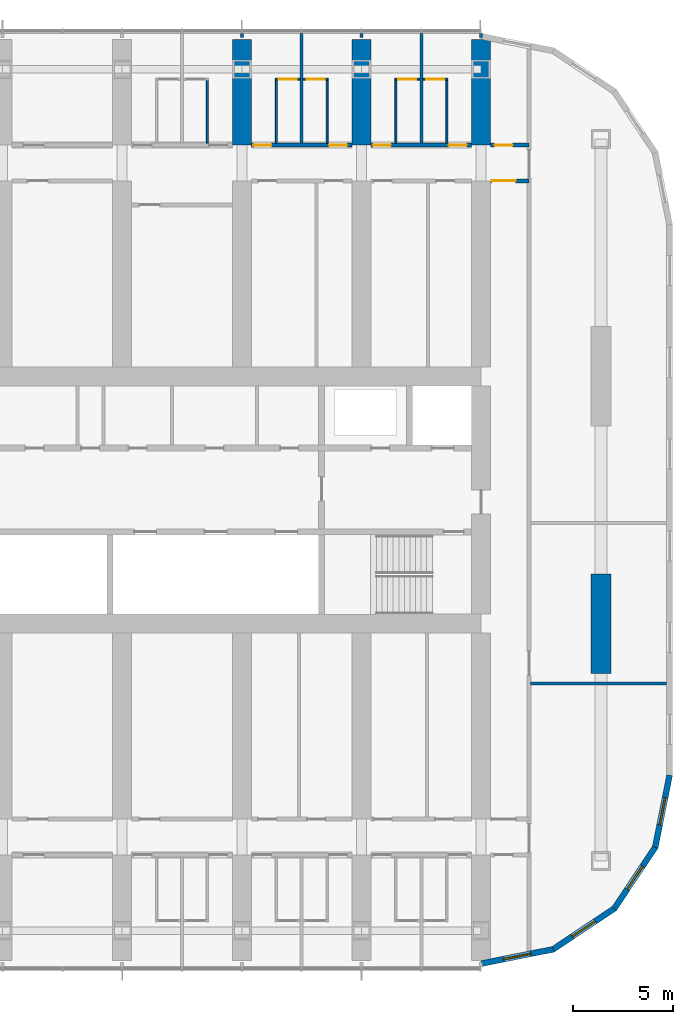
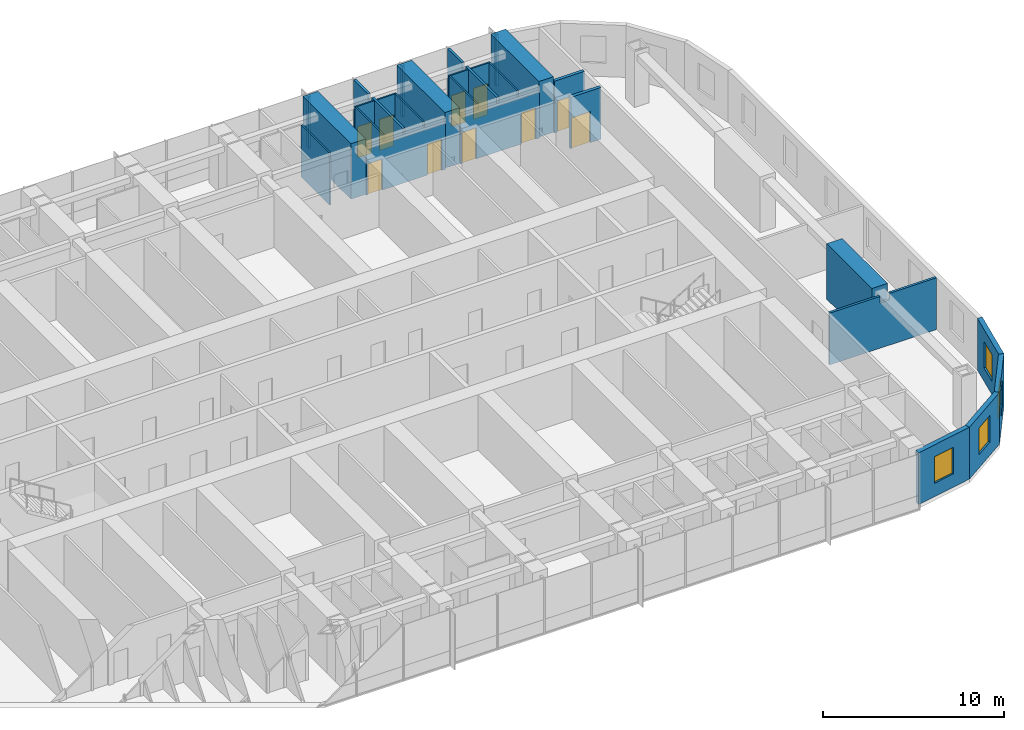
# One storey, part 16 of 22: 27 walls, 10 doors, 4 windows, 14 openings.
"""IFC4 building model written with IfcOpenShell, lengths in metres."""

from ifc_helpers import new_model, si_unit, direction, frame, frame_2d, origin, place, context, subcontext, project, spatial, polyline, rectangle, outline, extrude, material, layer, layer_set, type_object, element, fill, save


model = new_model("IFC4")

# Units and contexts
model_context = context("Model", 3, precision=1e-05, world=origin(), true_north=direction((0.0, 1.0)))
body_context = subcontext(model_context, "Body", "Model", "MODEL_VIEW")
ifc_project = project(units=[si_unit("LENGTHUNIT", "METRE"), si_unit("AREAUNIT", "SQUARE_METRE"), si_unit("VOLUMEUNIT", "CUBIC_METRE"), si_unit("PLANEANGLEUNIT", "RADIAN"), si_unit("MASSUNIT", "GRAM", prefix="KILO")], contexts=[model_context])

# Site, building, storey
site_placement = place(None, origin())
site = spatial("IfcSite", under=ifc_project, at=site_placement, CompositionType="ELEMENT")
building_placement = place(site_placement, origin())
building = spatial("IfcBuilding", under=site, at=building_placement, Name="Orbita Commons", CompositionType="ELEMENT")
storey_placement = place(building_placement, frame((0.0, 0.0, 118.14990234375)))
storey = spatial("IfcBuildingStorey", under=building, at=storey_placement, Name="L29", CompositionType="ELEMENT", Elevation=118.14990234375)

# Wall, openings, doors
ifc_material_1 = material(Name="Concrete blockwork", Category="masonry")
ifc_layer_1 = layer(ifc_material_1, 0.199951171875)
ifc_layer_set_1 = layer_set([ifc_layer_1], Name="Concrete blockwork")
wall_type_1 = type_object("IfcWallType", Name="Corridor wall 200 blockwork", PredefinedType="SOLIDWALL", material=ifc_layer_set_1)
wall_1_placement = place(storey_placement, frame((54.47509765625, 49.800048828125, 0.0), z_axis=(0.0, 0.0, 1.0), x_axis=(1.0, 0.0, 0.0)))
wall_1 = element("IfcWall", 1, at=wall_1_placement, inside=storey, type_object=wall_type_1, Name="Corridor wall 200 blockwork L29", PredefinedType="SOLIDWALL", context=body_context, shape_type="SweptSolid", body=[
    extrude(outline(polyline([(0.0, 0.0), (5.0498046875, 0.0), (5.050048828125, 3.10009765625), (0.0, 3.10009765625), (0.0, 0.0)])), frame((0.0, 0.10009765625, 0.0), z_axis=(0.0, -1.0, 0.0), x_axis=(1.0, 0.0, 0.0)), (0.0, 0.0, 1.0), 0.199951171875),
])
opening_1_placement = place(wall_1_placement, frame((0.10009765625, 0.0, 0.0)))
opening_1 = element("IfcOpeningElement", 2, at=opening_1_placement, cuts=wall_1, Name="Opening D11", PredefinedType="OPENING", context=body_context, shape_type="SweptSolid", body=[
    extrude(rectangle(XDim=0.89990234375, YDim=2.10009765625, at=frame_2d((0.449951171875, 1.050048828125))), frame((0.0, 0.10986328125, 0.0), z_axis=(0.0, -1.0, 0.0), x_axis=(1.0, 0.0, 0.0)), (0.0, 0.0, 1.0), 0.219970703125),
])
opening_2_placement = place(wall_1_placement, frame((3.89990234375, 0.0, 0.0)))
opening_2 = element("IfcOpeningElement", 3, at=opening_2_placement, cuts=wall_1, Name="Opening D11", PredefinedType="OPENING", context=body_context, shape_type="SweptSolid", body=[
    extrude(rectangle(XDim=0.89990234375, YDim=2.10009765625, at=frame_2d((0.449951171875, 1.050048828125))), frame((0.0, 0.10986328125, 0.0), z_axis=(0.0, -1.0, 0.0), x_axis=(1.0, 0.0, 0.0)), (0.0, 0.0, 1.0), 0.219970703125),
])
ifc_material_2 = material(Name="Steel-faced fire door leaf", Category="steel")
door_type_1 = type_object("IfcDoorType", Name="Corridor door 20 min 900x2100", OperationType="SINGLE_SWING_LEFT", PredefinedType="DOOR", material=ifc_material_2)
door_1_placement = place(opening_1_placement, origin())
door_1 = element("IfcDoor", 4, at=door_1_placement, inside=storey, type_object=door_type_1, Name="Cluster bedroom L29-N14 door", OperationType="SINGLE_SWING_LEFT", OverallHeight=2.10009765625, OverallWidth=0.89990234375, PredefinedType="DOOR", context=body_context, shape_type="SweptSolid", body=[
    extrude(rectangle(XDim=0.89990234375, YDim=2.10009765625, at=frame_2d((0.449951171875, 1.050048828125))), frame((0.0, 0.02490234375, 0.0), z_axis=(0.0, -1.0, 0.0), x_axis=(1.0, 0.0, 0.0)), (0.0, 0.0, 1.0), 0.050048828125),
])
fill(opening_1, door_1)
door_2_placement = place(opening_2_placement, origin())
door_2 = element("IfcDoor", 5, at=door_2_placement, inside=storey, type_object=door_type_1, Name="Cluster bedroom L29-N15 door", OperationType="SINGLE_SWING_LEFT", OverallHeight=2.10009765625, OverallWidth=0.89990234375, PredefinedType="DOOR", context=body_context, shape_type="SweptSolid", body=[
    extrude(rectangle(XDim=0.89990234375, YDim=2.10009765625, at=frame_2d((0.449951171875, 1.050048828125))), frame((0.0, 0.02490234375, 0.0), z_axis=(0.0, -1.0, 0.0), x_axis=(1.0, 0.0, 0.0)), (0.0, 0.0, 1.0), 0.050048828125),
])
fill(opening_2, door_2)

wall_2_placement = place(storey_placement, frame((60.47509765625, 49.800048828125, 0.0), z_axis=(0.0, 0.0, 1.0), x_axis=(1.0, 0.0, 0.0)))
wall_2 = element("IfcWall", 6, at=wall_2_placement, inside=storey, type_object=wall_type_1, Name="Corridor wall 200 blockwork L29", PredefinedType="SOLIDWALL", context=body_context, shape_type="SweptSolid", body=[
    extrude(outline(polyline([(0.0, 0.0), (5.0498046875, 0.0), (5.050048828125, 3.10009765625), (0.0, 3.10009765625), (0.0, 0.0)])), frame((0.0, 0.10009765625, 0.0), z_axis=(0.0, -1.0, 0.0), x_axis=(1.0, 0.0, 0.0)), (0.0, 0.0, 1.0), 0.199951171875),
])
opening_3_placement = place(wall_2_placement, frame((0.10009765625, 0.0, 0.0)))
opening_3 = element("IfcOpeningElement", 7, at=opening_3_placement, cuts=wall_2, Name="Opening D11", PredefinedType="OPENING", context=body_context, shape_type="SweptSolid", body=[
    extrude(rectangle(XDim=0.89990234375, YDim=2.10009765625, at=frame_2d((0.449951171875, 1.050048828125))), frame((0.0, 0.10986328125, 0.0), z_axis=(0.0, -1.0, 0.0), x_axis=(1.0, 0.0, 0.0)), (0.0, 0.0, 1.0), 0.219970703125),
])
opening_4_placement = place(wall_2_placement, frame((3.89990234375, 0.0, 0.0)))
opening_4 = element("IfcOpeningElement", 8, at=opening_4_placement, cuts=wall_2, Name="Opening D11", PredefinedType="OPENING", context=body_context, shape_type="SweptSolid", body=[
    extrude(rectangle(XDim=0.89990234375, YDim=2.10009765625, at=frame_2d((0.449951171875, 1.050048828125))), frame((0.0, 0.10986328125, 0.0), z_axis=(0.0, -1.0, 0.0), x_axis=(1.0, 0.0, 0.0)), (0.0, 0.0, 1.0), 0.219970703125),
])
door_3_placement = place(opening_3_placement, origin())
door_3 = element("IfcDoor", 9, at=door_3_placement, inside=storey, type_object=door_type_1, Name="Cluster bedroom L29-N16 door", OperationType="SINGLE_SWING_LEFT", OverallHeight=2.10009765625, OverallWidth=0.89990234375, PredefinedType="DOOR", context=body_context, shape_type="SweptSolid", body=[
    extrude(rectangle(XDim=0.89990234375, YDim=2.10009765625, at=frame_2d((0.449951171875, 1.050048828125))), frame((0.0, 0.02490234375, 0.0), z_axis=(0.0, -1.0, 0.0), x_axis=(1.0, 0.0, 0.0)), (0.0, 0.0, 1.0), 0.050048828125),
])
fill(opening_3, door_3)
door_4_placement = place(opening_4_placement, origin())
door_4 = element("IfcDoor", 10, at=door_4_placement, inside=storey, type_object=door_type_1, Name="Cluster bedroom L29-N17 door", OperationType="SINGLE_SWING_LEFT", OverallHeight=2.10009765625, OverallWidth=0.89990234375, PredefinedType="DOOR", context=body_context, shape_type="SweptSolid", body=[
    extrude(rectangle(XDim=0.89990234375, YDim=2.10009765625, at=frame_2d((0.449951171875, 1.050048828125))), frame((0.0, 0.02490234375, 0.0), z_axis=(0.0, -1.0, 0.0), x_axis=(1.0, 0.0, 0.0)), (0.0, 0.0, 1.0), 0.050048828125),
])
fill(opening_4, door_4)

# Wall, opening, door
wall_3_placement = place(storey_placement, frame((66.47509765625, 49.800048828125, 0.0), z_axis=(0.0, 0.0, 1.0), x_axis=(1.0, 0.0, 0.0)))
wall_3 = element("IfcWall", 11, at=wall_3_placement, inside=storey, type_object=wall_type_1, Name="Corridor wall 200 blockwork L29", PredefinedType="SOLIDWALL", context=body_context, shape_type="SweptSolid", body=[
    extrude(rectangle(XDim=1.9248046875, YDim=0.199951171875, at=frame_2d((0.96240234375, 0.0))), origin(), (0.0, 0.0, 1.0), 3.5),
])
opening_5_placement = place(wall_3_placement, frame((0.199951171875, 0.0, 0.0)))
opening_5 = element("IfcOpeningElement", 12, at=opening_5_placement, cuts=wall_3, Name="Opening D05", PredefinedType="OPENING", context=body_context, shape_type="SweptSolid", body=[
    extrude(rectangle(XDim=0.89990234375, YDim=2.10009765625, at=frame_2d((0.449951171875, 1.050048828125))), frame((0.0, 0.10986328125, 0.0), z_axis=(0.0, -1.0, 0.0), x_axis=(1.0, 0.0, 0.0)), (0.0, 0.0, 1.0), 0.219970703125),
])
ifc_material_3 = material(Name="Steel-faced fire door leaf", Category="steel")
door_type_2 = type_object("IfcDoorType", Name="Service door 20 min 900x2100", OperationType="SINGLE_SWING_LEFT", PredefinedType="DOOR", material=ifc_material_3)
door_5_placement = place(opening_5_placement, origin())
door_5 = element("IfcDoor", 13, at=door_5_placement, inside=storey, type_object=door_type_2, Name="Linen store L29-KEN door", OperationType="SINGLE_SWING_LEFT", OverallHeight=2.10009765625, OverallWidth=0.89990234375, PredefinedType="DOOR", context=body_context, shape_type="SweptSolid", body=[
    extrude(rectangle(XDim=0.89990234375, YDim=2.10009765625, at=frame_2d((0.449951171875, 1.050048828125))), frame((0.0, 0.02490234375, 0.0), z_axis=(0.0, -1.0, 0.0), x_axis=(1.0, 0.0, 0.0)), (0.0, 0.0, 1.0), 0.050048828125),
])
fill(opening_5, door_5)

ifc_material_4 = material(Name="Hollow concrete block 200", Category="concrete")
ifc_layer_2 = layer(ifc_material_4, 0.199951171875)
ifc_layer_set_2 = layer_set([ifc_layer_2], Name="Hollow concrete block 200")
wall_type_2 = type_object("IfcWallType", Name="Corridor wall 200 hollow concrete block", PredefinedType="SOLIDWALL", material=ifc_layer_set_2)
wall_4_placement = place(storey_placement, frame((66.47509765625, 48.0, 0.0), z_axis=(0.0, 0.0, 1.0), x_axis=(1.0, 0.0, 0.0)))
wall_4 = element("IfcWall", 14, at=wall_4_placement, inside=storey, type_object=wall_type_2, Name="Corridor wall 200 hollow concrete block L29", PredefinedType="SOLIDWALL", context=body_context, shape_type="SweptSolid", body=[
    extrude(rectangle(XDim=1.9248046875, YDim=0.199951171875, at=frame_2d((0.96240234375, 0.0))), origin(), (0.0, 0.0, 1.0), 3.5),
])
opening_6_placement = place(wall_4_placement, frame((0.050048828125, 0.0, 0.0)))
opening_6 = element("IfcOpeningElement", 15, at=opening_6_placement, cuts=wall_4, Name="Opening D12", PredefinedType="OPENING", context=body_context, shape_type="SweptSolid", body=[
    extrude(rectangle(XDim=1.199951171875, YDim=2.10009765625, at=frame_2d((0.60009765625, 1.050048828125))), frame((0.0, 0.10986328125, 0.0), z_axis=(0.0, -1.0, 0.0), x_axis=(1.0, 0.0, 0.0)), (0.0, 0.0, 1.0), 0.219970703125),
])
ifc_material_5 = material(Name="Steel-faced fire door leaf", Category="steel")
door_type_3 = type_object("IfcDoorType", Name="Double corridor door 20 min 1200x2100", OperationType="DOUBLE_DOOR_SINGLE_SWING", PredefinedType="DOOR", material=ifc_material_5)
door_6_placement = place(opening_6_placement, origin())
door_6 = element("IfcDoor", 16, at=door_6_placement, inside=storey, type_object=door_type_3, Name="Cross corridor doors", OperationType="DOUBLE_DOOR_SINGLE_SWING", OverallHeight=2.10009765625, OverallWidth=1.199951171875, PredefinedType="DOOR", context=body_context, shape_type="SweptSolid", body=[
    extrude(rectangle(XDim=1.199951171875, YDim=2.10009765625, at=frame_2d((0.60009765625, 1.050048828125))), frame((0.0, 0.02490234375, 0.0), z_axis=(0.0, -1.0, 0.0), x_axis=(1.0, 0.0, 0.0)), (0.0, 0.0, 1.0), 0.050048828125),
])
fill(opening_6, door_6)

# Walls
ifc_material_6 = material(Name="Concrete C50/60", Category="concrete")
ifc_layer_3 = layer(ifc_material_6, 0.949951171875)
ifc_layer_set_3 = layer_set([ifc_layer_3], Name="Concrete C50/60")
wall_type_3 = type_object("IfcWallType", Name="Cross wall 950 C50/60", PredefinedType="SHEAR", material=ifc_layer_set_3)
for number, where, z_axis, x_axis, name in (
    (17, (54.0, 49.800048828125, 0.0), (0.0, 0.0, 1.0), (0.0, 1.0, 0.0), "Cross wall 10 north outer L29"),
    (18, (60.0, 49.800048828125, 0.0), (0.0, 0.0, 1.0), (0.0, 1.0, 0.0), "Cross wall 11 north outer L29"),
    (19, (66.0, 49.800048828125, 0.0), (0.0, 0.0, 1.0), (0.0, 1.0, 0.0), "Cross wall 12 north outer L29"),
):
    element("IfcWall", number, at=place(storey_placement, frame(where, z_axis=z_axis, x_axis=x_axis)), inside=storey, type_object=wall_type_3, Name=name, PredefinedType="SHEAR", context=body_context, shape_type="SweptSolid", body=[
        extrude(rectangle(XDim=5.300048828125, YDim=0.949951171875, at=frame_2d((2.64990234375, 0.0))), origin(), (0.0, 0.0, 1.0), 3.75),
    ])
ifc_material_7 = material(Name="Moisture-resistant plasterboard on steel studs", Category="steel")
ifc_layer_4 = layer(ifc_material_7, 0.10009765625)
ifc_layer_set_4 = layer_set([ifc_layer_4], Name="Moisture-resistant plasterboard on steel studs")
wall_type_4 = type_object("IfcWallType", Name="En-suite partition 100", PredefinedType="PARTITIONING", material=ifc_layer_set_4)
wall_5_placement = place(storey_placement, frame((52.27490234375, 53.050048828125, 0.0), z_axis=(0.0, 0.0, 1.0), x_axis=(0.0, -1.0, 0.0)))
element("IfcWall", 20, at=wall_5_placement, inside=storey, type_object=wall_type_4, Name="En-suite partition 100 L29", PredefinedType="PARTITIONING", context=body_context, shape_type="SweptSolid", body=[
    extrude(outline(polyline([(0.0, 0.0), (3.150146484375, 0.0), (3.14990234375, 3.10009765625), (3.10205078125, 3.10009765625), (3.10009765625, 3.5), (0.0, 3.5), (0.0, 0.0)])), frame((0.0, 0.050048828125, 0.0), z_axis=(0.0, -1.0, 0.0), x_axis=(1.0, 0.0, 0.0)), (0.0, 0.0, 1.0), 0.10009765625),
])

# Wall, opening, door
wall_6_placement = place(storey_placement, frame((55.675048828125, 53.10009765625, 0.0), z_axis=(0.0, 0.0, 1.0), x_axis=(1.0, 0.0, 0.0)))
wall_6 = element("IfcWall", 21, at=wall_6_placement, inside=storey, type_object=wall_type_4, Name="En-suite partition 100 L29", PredefinedType="PARTITIONING", context=body_context, shape_type="SweptSolid", body=[
    extrude(rectangle(XDim=1.25, YDim=0.10009765625, at=frame_2d((0.625, 0.0))), origin(), (0.0, 0.0, 1.0), 3.5),
])
opening_7_placement = place(wall_6_placement, frame((0.175048828125, 0.0, 0.0)))
opening_7 = element("IfcOpeningElement", 22, at=opening_7_placement, cuts=wall_6, Name="Opening D09", PredefinedType="OPENING", context=body_context, shape_type="SweptSolid", body=[
    extrude(rectangle(XDim=0.89990234375, YDim=2.10009765625, at=frame_2d((0.449951171875, 1.050048828125))), frame((0.0, 0.06005859375, 0.0), z_axis=(0.0, -1.0, 0.0), x_axis=(1.0, 0.0, 0.0)), (0.0, 0.0, 1.0), 0.1201171875),
])
ifc_material_8 = material(Name="Laminated timber door leaf", Category="wood")
door_type_4 = type_object("IfcDoorType", Name="En-suite door 900x2100", OperationType="SINGLE_SWING_RIGHT", PredefinedType="DOOR", material=ifc_material_8)
door_7_placement = place(opening_7_placement, origin())
door_7 = element("IfcDoor", 23, at=door_7_placement, inside=storey, type_object=door_type_4, Name="En-suite L29-N14 door", OperationType="SINGLE_SWING_RIGHT", OverallHeight=2.10009765625, OverallWidth=0.89990234375, PredefinedType="DOOR", context=body_context, shape_type="SweptSolid", body=[
    extrude(rectangle(XDim=0.89990234375, YDim=2.10009765625, at=frame_2d((0.449951171875, 1.050048828125))), frame((0.0, 0.02490234375, 0.0), z_axis=(0.0, -1.0, 0.0), x_axis=(1.0, 0.0, 0.0)), (0.0, 0.0, 1.0), 0.050048828125),
])
fill(opening_7, door_7)

# Wall
wall_7_placement = place(storey_placement, frame((55.72509765625, 53.050048828125, 0.0), z_axis=(0.0, 0.0, 1.0), x_axis=(0.0, -1.0, 0.0)))
element("IfcWall", 24, at=wall_7_placement, inside=storey, type_object=wall_type_4, Name="En-suite partition 100 L29", PredefinedType="PARTITIONING", context=body_context, shape_type="SweptSolid", body=[
    extrude(outline(polyline([(0.0, 0.0), (3.150146484375, 0.0), (3.14990234375, 3.10009765625), (3.10205078125, 3.10009765625), (3.10009765625, 3.5), (0.0, 3.5), (0.0, 0.0)])), frame((0.0, 0.050048828125, 0.0), z_axis=(0.0, -1.0, 0.0), x_axis=(1.0, 0.0, 0.0)), (0.0, 0.0, 1.0), 0.10009765625),
])

# Wall, opening, door
wall_8_placement = place(storey_placement, frame((57.074951171875, 53.10009765625, 0.0), z_axis=(0.0, 0.0, 1.0), x_axis=(1.0, 0.0, 0.0)))
wall_8 = element("IfcWall", 25, at=wall_8_placement, inside=storey, type_object=wall_type_4, Name="En-suite partition 100 L29", PredefinedType="PARTITIONING", context=body_context, shape_type="SweptSolid", body=[
    extrude(rectangle(XDim=1.25, YDim=0.10009765625, at=frame_2d((0.625, 0.0))), origin(), (0.0, 0.0, 1.0), 3.5),
])
opening_8_placement = place(wall_8_placement, frame((0.175048828125, 0.0, 0.0)))
opening_8 = element("IfcOpeningElement", 26, at=opening_8_placement, cuts=wall_8, Name="Opening D09", PredefinedType="OPENING", context=body_context, shape_type="SweptSolid", body=[
    extrude(rectangle(XDim=0.89990234375, YDim=2.10009765625, at=frame_2d((0.449951171875, 1.050048828125))), frame((0.0, 0.06005859375, 0.0), z_axis=(0.0, -1.0, 0.0), x_axis=(1.0, 0.0, 0.0)), (0.0, 0.0, 1.0), 0.1201171875),
])
door_8_placement = place(opening_8_placement, origin())
door_8 = element("IfcDoor", 27, at=door_8_placement, inside=storey, type_object=door_type_4, Name="En-suite L29-N15 door", OperationType="SINGLE_SWING_RIGHT", OverallHeight=2.10009765625, OverallWidth=0.89990234375, PredefinedType="DOOR", context=body_context, shape_type="SweptSolid", body=[
    extrude(rectangle(XDim=0.89990234375, YDim=2.10009765625, at=frame_2d((0.449951171875, 1.050048828125))), frame((0.0, 0.02490234375, 0.0), z_axis=(0.0, -1.0, 0.0), x_axis=(1.0, 0.0, 0.0)), (0.0, 0.0, 1.0), 0.050048828125),
])
fill(opening_8, door_8)

# Wall
wall_9_placement = place(storey_placement, frame((58.27490234375, 53.050048828125, 0.0), z_axis=(0.0, 0.0, 1.0), x_axis=(0.0, -1.0, 0.0)))
element("IfcWall", 28, at=wall_9_placement, inside=storey, type_object=wall_type_4, Name="En-suite partition 100 L29", PredefinedType="PARTITIONING", context=body_context, shape_type="SweptSolid", body=[
    extrude(outline(polyline([(0.0, 0.0), (3.150146484375, 0.0), (3.14990234375, 3.10009765625), (3.10205078125, 3.10009765625), (3.10009765625, 3.5), (0.0, 3.5), (0.0, 0.0)])), frame((0.0, 0.050048828125, 0.0), z_axis=(0.0, -1.0, 0.0), x_axis=(1.0, 0.0, 0.0)), (0.0, 0.0, 1.0), 0.10009765625),
])

# Wall, opening, door
wall_10_placement = place(storey_placement, frame((61.675048828125, 53.10009765625, 0.0), z_axis=(0.0, 0.0, 1.0), x_axis=(1.0, 0.0, 0.0)))
wall_10 = element("IfcWall", 29, at=wall_10_placement, inside=storey, type_object=wall_type_4, Name="En-suite partition 100 L29", PredefinedType="PARTITIONING", context=body_context, shape_type="SweptSolid", body=[
    extrude(rectangle(XDim=1.25, YDim=0.10009765625, at=frame_2d((0.625, 0.0))), origin(), (0.0, 0.0, 1.0), 3.5),
])
opening_9_placement = place(wall_10_placement, frame((0.175048828125, 0.0, 0.0)))
opening_9 = element("IfcOpeningElement", 30, at=opening_9_placement, cuts=wall_10, Name="Opening D09", PredefinedType="OPENING", context=body_context, shape_type="SweptSolid", body=[
    extrude(rectangle(XDim=0.89990234375, YDim=2.10009765625, at=frame_2d((0.449951171875, 1.050048828125))), frame((0.0, 0.06005859375, 0.0), z_axis=(0.0, -1.0, 0.0), x_axis=(1.0, 0.0, 0.0)), (0.0, 0.0, 1.0), 0.1201171875),
])
door_9_placement = place(opening_9_placement, origin())
door_9 = element("IfcDoor", 31, at=door_9_placement, inside=storey, type_object=door_type_4, Name="En-suite L29-N16 door", OperationType="SINGLE_SWING_RIGHT", OverallHeight=2.10009765625, OverallWidth=0.89990234375, PredefinedType="DOOR", context=body_context, shape_type="SweptSolid", body=[
    extrude(rectangle(XDim=0.89990234375, YDim=2.10009765625, at=frame_2d((0.449951171875, 1.050048828125))), frame((0.0, 0.02490234375, 0.0), z_axis=(0.0, -1.0, 0.0), x_axis=(1.0, 0.0, 0.0)), (0.0, 0.0, 1.0), 0.050048828125),
])
fill(opening_9, door_9)

# Wall
wall_11_placement = place(storey_placement, frame((61.72509765625, 53.050048828125, 0.0), z_axis=(0.0, 0.0, 1.0), x_axis=(0.0, -1.0, 0.0)))
element("IfcWall", 32, at=wall_11_placement, inside=storey, type_object=wall_type_4, Name="En-suite partition 100 L29", PredefinedType="PARTITIONING", context=body_context, shape_type="SweptSolid", body=[
    extrude(outline(polyline([(0.0, 0.0), (3.150146484375, 0.0), (3.14990234375, 3.10009765625), (3.10205078125, 3.10009765625), (3.10009765625, 3.5), (0.0, 3.5), (0.0, 0.0)])), frame((0.0, 0.050048828125, 0.0), z_axis=(0.0, -1.0, 0.0), x_axis=(1.0, 0.0, 0.0)), (0.0, 0.0, 1.0), 0.10009765625),
])

# Wall, opening, door
wall_12_placement = place(storey_placement, frame((63.074951171875, 53.10009765625, 0.0), z_axis=(0.0, 0.0, 1.0), x_axis=(1.0, 0.0, 0.0)))
wall_12 = element("IfcWall", 33, at=wall_12_placement, inside=storey, type_object=wall_type_4, Name="En-suite partition 100 L29", PredefinedType="PARTITIONING", context=body_context, shape_type="SweptSolid", body=[
    extrude(rectangle(XDim=1.25, YDim=0.10009765625, at=frame_2d((0.625, 0.0))), origin(), (0.0, 0.0, 1.0), 3.5),
])
opening_10_placement = place(wall_12_placement, frame((0.175048828125, 0.0, 0.0)))
opening_10 = element("IfcOpeningElement", 34, at=opening_10_placement, cuts=wall_12, Name="Opening D09", PredefinedType="OPENING", context=body_context, shape_type="SweptSolid", body=[
    extrude(rectangle(XDim=0.89990234375, YDim=2.10009765625, at=frame_2d((0.449951171875, 1.050048828125))), frame((0.0, 0.06005859375, 0.0), z_axis=(0.0, -1.0, 0.0), x_axis=(1.0, 0.0, 0.0)), (0.0, 0.0, 1.0), 0.1201171875),
])
door_10_placement = place(opening_10_placement, origin())
door_10 = element("IfcDoor", 35, at=door_10_placement, inside=storey, type_object=door_type_4, Name="En-suite L29-N17 door", OperationType="SINGLE_SWING_RIGHT", OverallHeight=2.10009765625, OverallWidth=0.89990234375, PredefinedType="DOOR", context=body_context, shape_type="SweptSolid", body=[
    extrude(rectangle(XDim=0.89990234375, YDim=2.10009765625, at=frame_2d((0.449951171875, 1.050048828125))), frame((0.0, 0.02490234375, 0.0), z_axis=(0.0, -1.0, 0.0), x_axis=(1.0, 0.0, 0.0)), (0.0, 0.0, 1.0), 0.050048828125),
])
fill(opening_10, door_10)

# Walls
wall_13_placement = place(storey_placement, frame((64.27490234375, 53.050048828125, 0.0), z_axis=(0.0, 0.0, 1.0), x_axis=(0.0, -1.0, 0.0)))
element("IfcWall", 36, at=wall_13_placement, inside=storey, type_object=wall_type_4, Name="En-suite partition 100 L29", PredefinedType="PARTITIONING", context=body_context, shape_type="SweptSolid", body=[
    extrude(outline(polyline([(0.0, 0.0), (3.150146484375, 0.0), (3.14990234375, 3.10009765625), (3.10205078125, 3.10009765625), (3.10009765625, 3.5), (0.0, 3.5), (0.0, 0.0)])), frame((0.0, 0.050048828125, 0.0), z_axis=(0.0, -1.0, 0.0), x_axis=(1.0, 0.0, 0.0)), (0.0, 0.0, 1.0), 0.10009765625),
])
ifc_material_9 = material(Name="Concrete C50/60", Category="concrete")
ifc_layer_5 = layer(ifc_material_9, 1.0)
ifc_layer_set_5 = layer_set([ifc_layer_5], Name="Concrete C50/60")
wall_type_5 = type_object("IfcWallType", Name="End pier 1000x5000 C50/60", PredefinedType="SHEAR", material=ifc_layer_set_5)
wall_14_placement = place(storey_placement, frame((72.0, 23.300048828125, 0.0), z_axis=(0.0, 0.0, 1.0), x_axis=(0.0, 1.0, 0.0)))
element("IfcWall", 37, at=wall_14_placement, inside=storey, type_object=wall_type_5, Name="End pier 13/C L29", PredefinedType="SHEAR", context=body_context, shape_type="SweptSolid", body=[
    extrude(rectangle(XDim=5.0, YDim=1.0, at=frame_2d((2.5, 0.0))), origin(), (0.0, 0.0, 1.0), 3.75),
])
ifc_material_10 = material(Name="Gypsum plasterboard on steel studs", Category="steel")
ifc_layer_6 = layer(ifc_material_10, 0.14990234375)
ifc_layer_set_6 = layer_set([ifc_layer_6], Name="Gypsum plasterboard on steel studs")
wall_type_6 = type_object("IfcWallType", Name="Partition 150 plasterboard", PredefinedType="PARTITIONING", material=ifc_layer_set_6)
wall_15_placement = place(storey_placement, frame((68.47509765625, 22.800048828125, 0.0), z_axis=(0.0, 0.0, 1.0), x_axis=(1.0, 0.0, 0.0)))
element("IfcWall", 38, at=wall_15_placement, inside=storey, type_object=wall_type_6, Name="Partition 150 plasterboard L29", PredefinedType="PARTITIONING", context=body_context, shape_type="SweptSolid", body=[
    extrude(outline(polyline([(0.0, 0.0), (6.81982421875, 0.0), (6.820068359375, 3.5), (3.826904296875, 3.5), (3.824951171875, 3.050048828125), (3.22705078125, 3.050048828125), (3.22509765625, 3.5), (0.0, 3.5), (0.0, 0.0)])), frame((0.0, 0.074951171875, 0.0), z_axis=(0.0, -1.0, 0.0), x_axis=(1.0, 0.0, 0.0)), (0.0, 0.0, 1.0), 0.14990234375),
])
for number, where, z_axis, x_axis, name in (
    (39, (54.0, 55.199951171875, 0.0), (0.0, 0.0, 1.0), (0.0, 1.0, 0.0), "Partition 150 plasterboard L29"),
    (40, (60.0, 55.199951171875, 0.0), (0.0, 0.0, 1.0), (0.0, 1.0, 0.0), "Partition 150 plasterboard L29"),
):
    element("IfcWall", number, at=place(storey_placement, frame(where, z_axis=z_axis, x_axis=x_axis)), inside=storey, type_object=wall_type_6, Name=name, PredefinedType="PARTITIONING", context=body_context, shape_type="SweptSolid", body=[
        extrude(rectangle(XDim=0.18994140625, YDim=0.14990234375, at=frame_2d((0.094970703125, 0.0))), origin(), (0.0, 0.0, 1.0), 3.5),
    ])
wall_16_placement = place(storey_placement, frame((66.0, 55.199951171875, 0.0), z_axis=(0.0, 0.0, 1.0), x_axis=(0.0, 1.0, 0.0)))
element("IfcWall", 41, at=wall_16_placement, inside=storey, type_object=wall_type_6, Name="Partition 150 plasterboard L29", PredefinedType="PARTITIONING", context=body_context, shape_type="SweptSolid", body=[
    extrude(rectangle(XDim=0.219970703125, YDim=0.14990234375, at=frame_2d((0.10986328125, 0.0))), origin(), (0.0, 0.0, 1.0), 3.5),
])
ifc_material_11 = material(Name="Gypsum plasterboard on steel studs", Category="steel")
ifc_layer_7 = layer(ifc_material_11, 0.14990234375)
ifc_layer_set_7 = layer_set([ifc_layer_7], Name="Gypsum plasterboard on steel studs")
wall_type_7 = type_object("IfcWallType", Name="Party wall 150 plasterboard", PredefinedType="PARTITIONING", material=ifc_layer_set_7)
for number, where, z_axis, x_axis, name in (
    (42, (57.0, 55.389892578125, 0.0), (0.0, 0.0, 1.0), (0.0, -1.0, 0.0), "Party wall 150 plasterboard L29"),
    (43, (63.0, 55.389892578125, 0.0), (0.0, 0.0, 1.0), (0.0, -1.0, 0.0), "Party wall 150 plasterboard L29"),
):
    element("IfcWall", number, at=place(storey_placement, frame(where, z_axis=z_axis, x_axis=x_axis)), inside=storey, type_object=wall_type_7, Name=name, PredefinedType="PARTITIONING", context=body_context, shape_type="SweptSolid", body=[
        extrude(outline(polyline([(0.0, 0.0), (5.489990234375, 0.0), (5.489990234375, 3.10009765625), (5.44189453125, 3.10009765625), (5.43994140625, 3.5), (1.991943359375, 3.5), (1.989990234375, 3.10009765625), (1.592041015625, 3.10009765625), (1.590087890625, 3.5), (0.0, 3.5), (0.0, 0.0)])), frame((0.0, 0.074951171875, 0.0), z_axis=(0.0, -1.0, 0.0), x_axis=(1.0, 0.0, 0.0)), (0.0, 0.0, 1.0), 0.14990234375),
    ])

# Wall, opening, window
ifc_material_12 = material(Name="Precast concrete C40/50, white board-marked finish", Category="concrete")
ifc_layer_8 = layer(ifc_material_12, 0.300048828125)
ifc_layer_set_8 = layer_set([ifc_layer_8], Name="Precast concrete C40/50, white board-marked finish")
wall_type_8 = type_object("IfcWallType", Name="Precast concrete end shield 300", PredefinedType="SOLIDWALL", material=ifc_layer_set_8)
wall_17_placement = place(storey_placement, frame((66.0, 8.75, 0.0), z_axis=(0.0, 0.0, 1.0), x_axis=(0.980791473772, 0.195059183267, 0.0)))
wall_17 = element("IfcWall", 44, at=wall_17_placement, inside=storey, type_object=wall_type_8, Name="End shield SE chord 1 L29", PredefinedType="SOLIDWALL", context=body_context, shape_type="SweptSolid", body=[
    extrude(outline(polyline([(-0.02978515625, -0.14990234375), (3.717041015625, -0.14990234375), (3.657470703125, 0.14990234375), (0.02978515625, 0.14990234375), (-0.02978515625, -0.14990234375)])), origin(), (0.0, 0.0, 1.0), 3.5),
])
opening_11_placement = place(wall_17_placement, frame((1.1435546875, 0.0, 0.89990234375)))
opening_11 = element("IfcOpeningElement", 45, at=opening_11_placement, cuts=wall_17, Name="Opening W02", PredefinedType="OPENING", context=body_context, shape_type="SweptSolid", body=[
    extrude(rectangle(XDim=1.39990234375, YDim=1.800048828125, at=frame_2d((0.699951171875, 0.89990234375))), frame((0.0, 0.159912109375, 0.0), z_axis=(0.0, -1.0, 0.0), x_axis=(1.0, 0.0, 0.0)), (0.0, 0.0, 1.0), 0.320068359375),
])
ifc_material_13 = material(Name="Aluminium frame, clear double glazing", Category="aluminium")
window_type = type_object("IfcWindowType", Name="Deep-set window 1400x1800", PartitioningType="SINGLE_PANEL", PredefinedType="WINDOW", material=ifc_material_13)
window_1_placement = place(opening_11_placement, origin())
window_1 = element("IfcWindow", 46, at=window_1_placement, inside=storey, type_object=window_type, Name="Window L29-SE0", OverallHeight=1.800048828125, OverallWidth=1.39990234375, PartitioningType="SINGLE_PANEL", PredefinedType="WINDOW", context=body_context, shape_type="SweptSolid", body=[
    extrude(rectangle(XDim=1.39990234375, YDim=1.800048828125, at=frame_2d((0.699951171875, 0.89990234375))), frame((0.0, 0.030029296875, 0.0), z_axis=(0.0, -1.0, 0.0), x_axis=(1.0, 0.0, 0.0)), (0.0, 0.0, 1.0), 0.06005859375),
])
fill(opening_11, window_1)

wall_18_placement = place(storey_placement, frame((69.616455078125, 9.46923828125, 0.0), z_axis=(0.0, 0.0, 1.0), x_axis=(0.831448786846, 0.555601399253, 0.0)))
wall_18 = element("IfcWall", 47, at=wall_18_placement, inside=storey, type_object=wall_type_8, Name="End shield SE chord 2 L29", PredefinedType="SOLIDWALL", context=body_context, shape_type="SweptSolid", body=[
    extrude(outline(polyline([(-0.02978515625, -0.14990234375), (3.717041015625, -0.14990234375), (3.657470703125, 0.14990234375), (0.02978515625, 0.14990234375), (-0.02978515625, -0.14990234375)])), origin(), (0.0, 0.0, 1.0), 3.5),
])
opening_12_placement = place(wall_18_placement, frame((1.1435546875, 0.0, 0.89990234375)))
opening_12 = element("IfcOpeningElement", 48, at=opening_12_placement, cuts=wall_18, Name="Opening W02", PredefinedType="OPENING", context=body_context, shape_type="SweptSolid", body=[
    extrude(rectangle(XDim=1.39990234375, YDim=1.800048828125, at=frame_2d((0.699951171875, 0.89990234375))), frame((0.0, 0.159912109375, 0.0), z_axis=(0.0, -1.0, 0.0), x_axis=(1.0, 0.0, 0.0)), (0.0, 0.0, 1.0), 0.320068359375),
])
window_2_placement = place(opening_12_placement, origin())
window_2 = element("IfcWindow", 49, at=window_2_placement, inside=storey, type_object=window_type, Name="Window L29-SE1", OverallHeight=1.800048828125, OverallWidth=1.39990234375, PartitioningType="SINGLE_PANEL", PredefinedType="WINDOW", context=body_context, shape_type="SweptSolid", body=[
    extrude(rectangle(XDim=1.39990234375, YDim=1.800048828125, at=frame_2d((0.699951171875, 0.89990234375))), frame((0.0, 0.030029296875, 0.0), z_axis=(0.0, -1.0, 0.0), x_axis=(1.0, 0.0, 0.0)), (0.0, 0.0, 1.0), 0.06005859375),
])
fill(opening_12, window_2)

wall_19_placement = place(storey_placement, frame((72.68212890625, 11.517822265625, 0.0), z_axis=(0.0, 0.0, 1.0), x_axis=(0.555601399253, 0.831448786846, 0.0)))
wall_19 = element("IfcWall", 50, at=wall_19_placement, inside=storey, type_object=wall_type_8, Name="End shield SE chord 3 L29", PredefinedType="SOLIDWALL", context=body_context, shape_type="SweptSolid", body=[
    extrude(outline(polyline([(-0.02978515625, -0.14990234375), (3.717041015625, -0.14990234375), (3.657470703125, 0.14990234375), (0.02978515625, 0.14990234375), (-0.02978515625, -0.14990234375)])), origin(), (0.0, 0.0, 1.0), 3.5),
])
opening_13_placement = place(wall_19_placement, frame((1.1435546875, 0.0, 0.89990234375)))
opening_13 = element("IfcOpeningElement", 51, at=opening_13_placement, cuts=wall_19, Name="Opening W02", PredefinedType="OPENING", context=body_context, shape_type="SweptSolid", body=[
    extrude(rectangle(XDim=1.39990234375, YDim=1.800048828125, at=frame_2d((0.699951171875, 0.89990234375))), frame((0.0, 0.159912109375, 0.0), z_axis=(0.0, -1.0, 0.0), x_axis=(1.0, 0.0, 0.0)), (0.0, 0.0, 1.0), 0.320068359375),
])
window_3_placement = place(opening_13_placement, origin())
window_3 = element("IfcWindow", 52, at=window_3_placement, inside=storey, type_object=window_type, Name="Window L29-SE2", OverallHeight=1.800048828125, OverallWidth=1.39990234375, PartitioningType="SINGLE_PANEL", PredefinedType="WINDOW", context=body_context, shape_type="SweptSolid", body=[
    extrude(rectangle(XDim=1.39990234375, YDim=1.800048828125, at=frame_2d((0.699951171875, 0.89990234375))), frame((0.0, 0.030029296875, 0.0), z_axis=(0.0, -1.0, 0.0), x_axis=(1.0, 0.0, 0.0)), (0.0, 0.0, 1.0), 0.06005859375),
])
fill(opening_13, window_3)

wall_20_placement = place(storey_placement, frame((74.730712890625, 14.58349609375, 0.0), z_axis=(0.0, 0.0, 1.0), x_axis=(0.195059183267, 0.980791473772, 0.0)))
wall_20 = element("IfcWall", 53, at=wall_20_placement, inside=storey, type_object=wall_type_8, Name="End shield SE chord 4 L29", PredefinedType="SOLIDWALL", context=body_context, shape_type="SweptSolid", body=[
    extrude(outline(polyline([(-0.02978515625, -0.14990234375), (3.7021484375, -0.14990234375), (3.67236328125, 0.14990234375), (0.02978515625, 0.14990234375), (-0.02978515625, -0.14990234375)])), origin(), (0.0, 0.0, 1.0), 3.5),
])
opening_14_placement = place(wall_20_placement, frame((1.1435546875, 0.0, 0.89990234375)))
opening_14 = element("IfcOpeningElement", 54, at=opening_14_placement, cuts=wall_20, Name="Opening W02", PredefinedType="OPENING", context=body_context, shape_type="SweptSolid", body=[
    extrude(rectangle(XDim=1.39990234375, YDim=1.800048828125, at=frame_2d((0.699951171875, 0.89990234375))), frame((0.0, 0.159912109375, 0.0), z_axis=(0.0, -1.0, 0.0), x_axis=(1.0, 0.0, 0.0)), (0.0, 0.0, 1.0), 0.320068359375),
])
window_4_placement = place(opening_14_placement, origin())
window_4 = element("IfcWindow", 55, at=window_4_placement, inside=storey, type_object=window_type, Name="Window L29-SE3", OverallHeight=1.800048828125, OverallWidth=1.39990234375, PartitioningType="SINGLE_PANEL", PredefinedType="WINDOW", context=body_context, shape_type="SweptSolid", body=[
    extrude(rectangle(XDim=1.39990234375, YDim=1.800048828125, at=frame_2d((0.699951171875, 0.89990234375))), frame((0.0, 0.030029296875, 0.0), z_axis=(0.0, -1.0, 0.0), x_axis=(1.0, 0.0, 0.0)), (0.0, 0.0, 1.0), 0.06005859375),
])
fill(opening_14, window_4)

save(model, "model.ifc")
